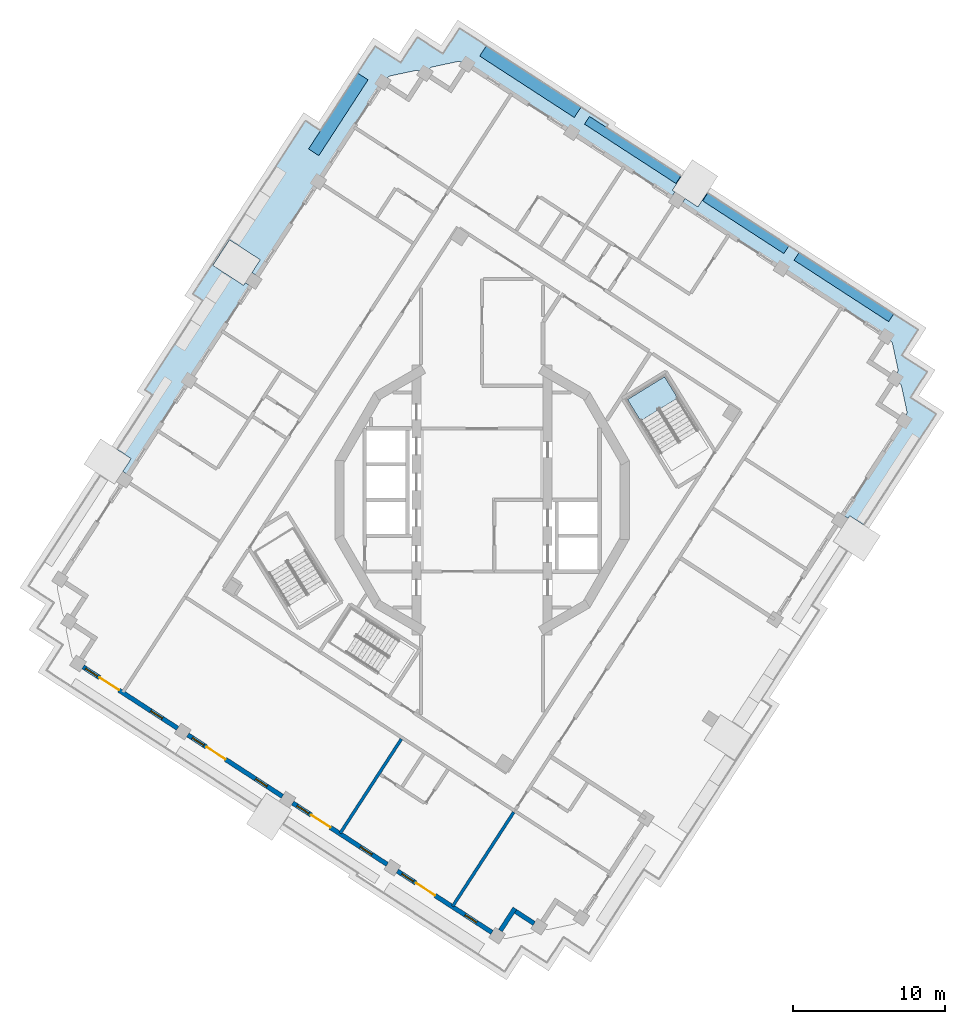
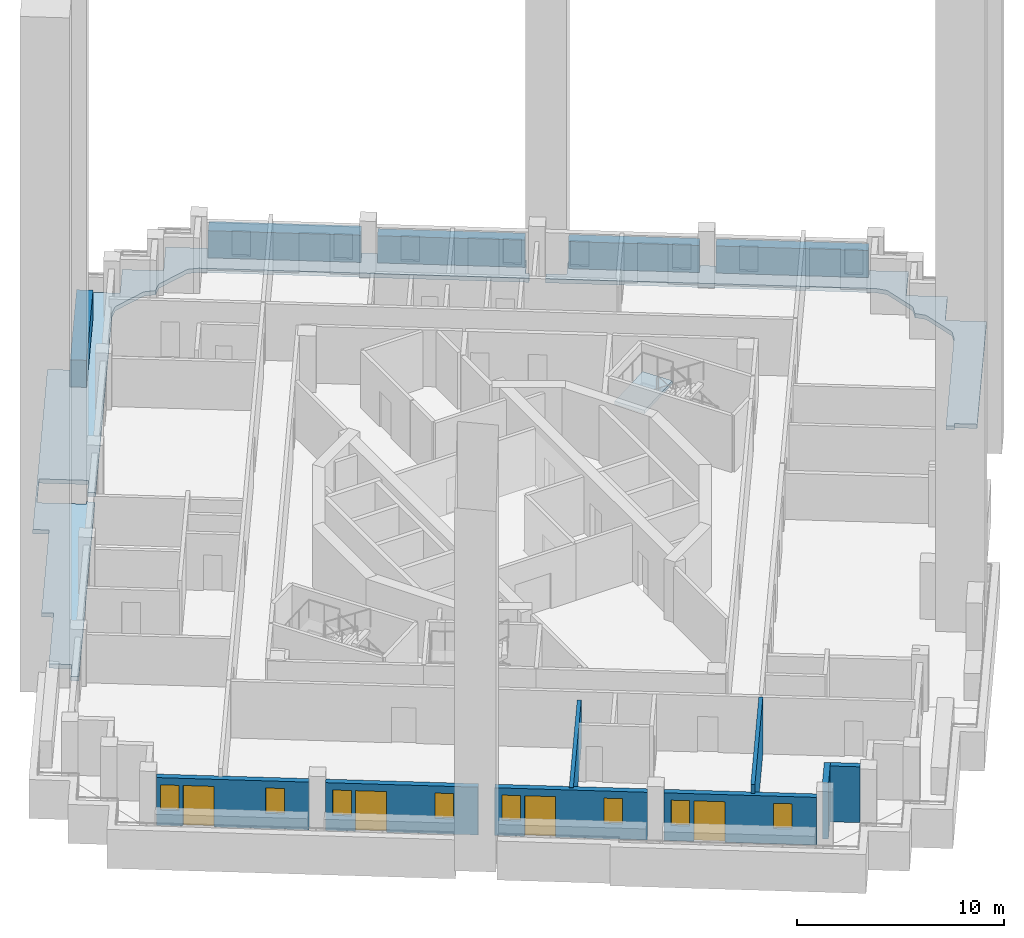
# One storey, part 2 of 15: 8 walls, 8 windows, 5 plates, 4 doors, 3 slabs, 12 openings, 1 element without a shape of its own.
"""IFC4 building model written with IfcOpenShell, lengths in metres."""

import ifcopenshell
import ifcopenshell.guid

model = None  # the IFC model being written
_history = None  # IfcOwnerHistory: only IFC2X3 demands one
_inside = {}  # id of a spatial element -> (the spatial element, [elements in it])
_under = {}  # id of a project, library or spatial element -> (it, [spatial elements below it])
_declared = {}  # id of a project -> (the project, [libraries it declares])
_typed = {}  # id of a type object -> (the type object, [elements of that type])
_made_of = {}  # id of a material, layer set ... -> (it, [elements and type objects made of it])


def new_model(schema):
    """Start an empty IFC model of exactly this schema.

    Asked for "IFC4X3", IfcOpenShell would pick the latest addendum, in which some entities
    have other attributes; the version numbers below select the first issue.
    IFC2X3 requires an IfcOwnerHistory on every rooted entity: one is made here for all.
    """
    global model, _history
    if schema == "IFC4X3":
        model = ifcopenshell.file(schema_version=(4, 3, 0, 0))
    else:
        model = ifcopenshell.file(schema=schema)
    _inside.clear()
    _under.clear()
    _declared.clear()
    _typed.clear()
    _made_of.clear()
    _history = None
    if model.schema == "IFC2X3":
        org = make("IfcOrganization", Name="unknown")
        user = make(
            "IfcPersonAndOrganization",
            ThePerson=make("IfcPerson", FamilyName="unknown"),
            TheOrganization=org,
        )
        app = make(
            "IfcApplication",
            ApplicationDeveloper=org,
            Version="unknown",
            ApplicationFullName="unknown",
            ApplicationIdentifier="unknown",
        )
        _history = make(
            "IfcOwnerHistory",
            OwningUser=user,
            OwningApplication=app,
            ChangeAction="ADDED",
            CreationDate=0,
        )
    return model


def make(cls, **values):
    """One entity of the class cls with the attributes given. An attribute that is None is left unset."""
    return model.create_entity(
        cls, **{name: value for name, value in values.items() if value is not None}
    )


def rooted(cls, **values):
    """An entity with a GlobalId (a new one), such as an element, a storey or a relation."""
    return make(cls, GlobalId=ifcopenshell.guid.new(), OwnerHistory=_history, **values)


def si_unit(unit_type, name, prefix=None):
    """IfcSIUnit, for example si_unit("LENGTHUNIT", "METRE", prefix="MILLI")."""
    return make("IfcSIUnit", UnitType=unit_type, Prefix=prefix, Name=name)


def assignment(units):
    """IfcUnitAssignment: the units of a project."""
    return None if units is None else make("IfcUnitAssignment", Units=units)


def point(xyz):
    """IfcCartesianPoint."""
    return None if xyz is None else make("IfcCartesianPoint", Coordinates=xyz)


def direction(xyz):
    """IfcDirection."""
    return None if xyz is None else make("IfcDirection", DirectionRatios=xyz)


def frame(location, z_axis=None, x_axis=None):
    """IfcAxis2Placement3D, a coordinate frame: its origin and axes. An axis left out is left unset."""
    return make(
        "IfcAxis2Placement3D",
        Location=point(location),
        Axis=direction(z_axis),
        RefDirection=direction(x_axis),
    )


def frame_2d(location, x_axis=None):
    """IfcAxis2Placement2D, a coordinate frame in the plane: its origin and x axis."""
    return make(
        "IfcAxis2Placement2D", Location=point(location), RefDirection=direction(x_axis)
    )


def origin():
    """The frame at (0, 0, 0) with its axes left unset."""
    return frame((0.0, 0.0, 0.0))


def origin_2d():
    """The frame at (0, 0) in the plane with its x axis left unset."""
    return frame_2d((0.0, 0.0))


def place(relative_to, where):
    """IfcLocalPlacement: puts the frame where relative to a parent placement (None: the world)."""
    return make(
        "IfcLocalPlacement", PlacementRelTo=relative_to, RelativePlacement=where
    )


def context(
    kind, dimensions, precision=None, world=None, true_north=None, identifier=None
):
    """IfcGeometricRepresentationContext, for example the 3D "Model" context."""
    return make(
        "IfcGeometricRepresentationContext",
        ContextIdentifier=identifier,
        ContextType=kind,
        CoordinateSpaceDimension=dimensions,
        Precision=precision,
        WorldCoordinateSystem=world,
        TrueNorth=true_north,
    )


def subcontext(parent, identifier, kind, view, scale=None):
    """IfcGeometricRepresentationSubContext, for example "Body" below "Model"."""
    return make(
        "IfcGeometricRepresentationSubContext",
        ContextIdentifier=identifier,
        ContextType=kind,
        ParentContext=parent,
        TargetScale=scale,
        TargetView=view,
    )


def project(units=None, contexts=None):
    """IfcProject with its units and contexts."""
    return rooted(
        "IfcProject",
        Name="project",
        RepresentationContexts=contexts,
        UnitsInContext=assignment(units),
    )


def spatial(cls, under=None, at=None, **own):
    """A site, building, storey or space (cls), placed at a placement, below another one or the project."""
    s = rooted(cls, ObjectPlacement=at, **own)
    if under is not None:
        _under.setdefault(under.id(), (under, []))[1].append(s)
    return s


def polyline(points):
    """IfcPolyline through the points."""
    return make("IfcPolyline", Points=[point(p) for p in points])


def profile(cls, at=None, kind="AREA", **sizes):
    """A parametric profile (cls). Its sizes go by their IFC names, for example OverallWidth=200.0."""
    return make(cls, ProfileType=kind, Position=at, **sizes)


def rectangle(**sizes):
    """IfcRectangleProfileDef."""
    return profile("IfcRectangleProfileDef", **sizes)


def outline(outer, holes=None, kind="AREA"):
    """IfcArbitraryClosedProfileDef: a profile drawn as a closed curve; with holes, ...WithVoids."""
    if holes is None:
        return make("IfcArbitraryClosedProfileDef", ProfileType=kind, OuterCurve=outer)
    return make(
        "IfcArbitraryProfileDefWithVoids",
        ProfileType=kind,
        OuterCurve=outer,
        InnerCurves=holes,
    )


def extrude(swept, where, along, depth):
    """IfcExtrudedAreaSolid: the profile swept, set in the frame where, extruded along a direction by depth."""
    return make(
        "IfcExtrudedAreaSolid",
        SweptArea=swept,
        Position=where,
        ExtrudedDirection=direction(along),
        Depth=depth,
    )


def shape(context_of_items, identifier, shape_type, items):
    """IfcShapeRepresentation: the items that make up one representation, for example the "Body"."""
    return make(
        "IfcShapeRepresentation",
        ContextOfItems=context_of_items,
        RepresentationIdentifier=identifier,
        RepresentationType=shape_type,
        Items=items,
    )


def material(Name=None, Category=None):
    """IfcMaterial."""
    return make("IfcMaterial", Name=Name, Category=Category)


def layer(
    of_material, thickness, ventilated=None, Name=None, Category=None, Priority=None
):
    """IfcMaterialLayer: one layer of a wall or slab, of a material (None: an air gap)."""
    return make(
        "IfcMaterialLayer",
        Material=of_material,
        LayerThickness=thickness,
        IsVentilated=ventilated,
        Name=Name,
        Category=Category,
        Priority=Priority,
    )


def layer_set(layers, Name=None):
    """IfcMaterialLayerSet."""
    return make("IfcMaterialLayerSet", MaterialLayers=layers, LayerSetName=Name)


def made_of(thing, what):
    """Note that an element or type object is made of a material, layer set ...; save() writes the relation."""
    if what is not None:
        _made_of.setdefault(what.id(), (what, []))[1].append(thing)
    return thing


def type_object(cls, material=None, **own):
    """A type object (cls), such as IfcWallType, which elements share."""
    return made_of(rooted(cls, **own), material)


def element(
    cls,
    number,
    at=None,
    inside=None,
    cuts=None,
    type_object=None,
    material=None,
    context=None,
    identifier="Body",
    shape_type=None,
    held_by="IfcProductDefinitionShape",
    body=None,
    shapes=None,
    **own,
):
    """One element of the class cls, such as IfcWall. Its Tag is "e" and its number.

    at: its placement. inside: the storey or other place that contains it. cuts: it is an
    opening in that element (IfcRelVoidsElement). A single representation is given by context,
    identifier, shape_type and body (its items); several are given by shapes. held_by: the class
    of the entity that holds the representations. save() writes the other relations.
    """
    e = rooted(cls, Tag="e%d" % number, ObjectPlacement=at, **own)
    if body is not None:
        shapes = [shape(context, identifier, shape_type, body)]
    if shapes is not None:
        e.Representation = make(held_by, Representations=shapes)
    if inside is not None:
        _inside.setdefault(inside.id(), (inside, []))[1].append(e)
    if cuts is not None:
        rooted(
            "IfcRelVoidsElement", RelatingBuildingElement=cuts, RelatedOpeningElement=e
        )
    if type_object is not None:
        _typed.setdefault(type_object.id(), (type_object, []))[1].append(e)
    return made_of(e, material)


def fill(opening, filler):
    """IfcRelFillsElement: the door or window that sits in an opening."""
    return rooted(
        "IfcRelFillsElement",
        RelatingOpeningElement=opening,
        RelatedBuildingElement=filler,
    )


def aggregate(whole, parts):
    """IfcRelAggregates: a whole, such as a stair, and the parts it consists of."""
    return rooted("IfcRelAggregates", RelatingObject=whole, RelatedObjects=parts)


def save(model, path):
    """Write the relations noted so far, then the file.

    IfcRelAggregates (storeys below a building ...), IfcRelContainedInSpatialStructure (elements
    in a storey), IfcRelDefinesByType, IfcRelAssociatesMaterial and IfcRelDeclares: one each for
    every whole, place, type object, material and project.
    """
    for whole, parts in _under.values():
        aggregate(whole, parts)
    for where, things in _inside.values():
        rooted(
            "IfcRelContainedInSpatialStructure",
            RelatedElements=things,
            RelatingStructure=where,
        )
    for kind, things in _typed.values():
        rooted("IfcRelDefinesByType", RelatedObjects=things, RelatingType=kind)
    for what, things in _made_of.values():
        rooted("IfcRelAssociatesMaterial", RelatedObjects=things, RelatingMaterial=what)
    for by, libraries in _declared.values():
        rooted("IfcRelDeclares", RelatingContext=by, RelatedDefinitions=libraries)
    model.write(path)


model = new_model("IFC4")

# Units and contexts
model_context = context("Model", 3, precision=1e-05, world=origin(), true_north=direction((0.0, 1.0)))
body_context = subcontext(model_context, "Body", "Model", "MODEL_VIEW")
ifc_project = project(units=[si_unit("LENGTHUNIT", "METRE"), si_unit("AREAUNIT", "SQUARE_METRE"), si_unit("VOLUMEUNIT", "CUBIC_METRE"), si_unit("PLANEANGLEUNIT", "RADIAN"), si_unit("MASSUNIT", "GRAM", prefix="KILO")], contexts=[model_context])

# Site, building, storey
site_placement = place(None, origin())
site = spatial("IfcSite", under=ifc_project, at=site_placement, CompositionType="ELEMENT")
building_placement = place(site_placement, origin())
building = spatial("IfcBuilding", under=site, at=building_placement, Name="Cantera Rosa Tower", CompositionType="ELEMENT")
storey_placement = place(building_placement, frame((0.0, 0.0, 250.5)))
storey = spatial("IfcBuildingStorey", under=building, at=storey_placement, Name="L55", CompositionType="ELEMENT", Elevation=250.5)

# Slabs
ifc_material_1 = material(Name="Concrete C35/45", Category="concrete")
ifc_layer_1 = layer(ifc_material_1, 0.25)
ifc_layer_set_1 = layer_set([ifc_layer_1], Name="LOGGIA SLAB 250 C35/45")
slab_type_1 = type_object("IfcSlabType", Name="LOGGIA SLAB 250 C35/45", PredefinedType="FLOOR", material=ifc_layer_set_1)
slab_1_placement = place(storey_placement, frame((0.0, 0.0, -0.25)))
element("IfcSlab", 1, at=slab_1_placement, inside=storey, type_object=slab_type_1, Name="LOGGIA SLAB L55 2", PredefinedType="FLOOR", context=body_context, shape_type="SweptSolid", body=[
    extrude(outline(polyline([(-10.61083984375, 24.238037109375), (-7.94140625, 28.3486328125), (-7.015380859375, 29.7744140625), (-5.58984375, 28.848388671875), (-5.338134765625, 28.68505859375), (-5.1748046875, 28.936767578125), (-4.248779296875, 30.362548828125), (-2.822998046875, 29.4365234375), (-2.571533203125, 29.273193359375), (-2.408203125, 29.52490234375), (-1.482421875, 30.950439453125), (-0.056396484375, 30.024658203125), (8.246337890625, 24.6328125), (8.137451171875, 24.465087890625), (12.330810546875, 21.74169921875), (13.08544921875, 21.251708984375), (12.486328125, 20.3291015625), (12.654296875, 20.22021484375), (12.436279296875, 19.884765625), (-0.106689453125, 28.030029296875), (-0.982421875, 28.598876953125), (-1.424560546875, 28.760009765625), (-1.452392578125, 28.76953125), (-1.481201171875, 28.7763671875), (-1.51025390625, 28.7802734375), (-1.539794921875, 28.78125), (-1.569091796875, 28.779296875), (-1.59814453125, 28.774658203125), (-3.258056640625, 28.421875), (-3.28662109375, 28.414306640625), (-3.314208984375, 28.404052734375), (-3.340576171875, 28.39111328125), (-3.365478515625, 28.375732421875), (-3.388916015625, 28.35791015625), (-3.41064453125, 28.337890625), (-3.7490234375, 28.0107421875), (-4.191162109375, 28.171875), (-4.218994140625, 28.181396484375), (-4.247802734375, 28.188232421875), (-4.27685546875, 28.192138671875), (-4.306396484375, 28.193115234375), (-4.335693359375, 28.19140625), (-4.36474609375, 28.186767578125), (-6.024658203125, 27.833740234375), (-6.05322265625, 27.826416015625), (-6.080810546875, 27.81591796875), (-6.107177734375, 27.802978515625), (-6.132080078125, 27.78759765625), (-6.15576171875, 27.769775390625), (-6.17724609375, 27.749755859375), (-6.515625, 27.4228515625), (-7.08447265625, 26.547119140625), (-14.7724609375, 14.70849609375), (-15.10791015625, 14.926513671875), (-14.563232421875, 15.76513671875), (-16.575927734375, 17.072265625), (-17.665283203125, 15.39501953125), (-15.652587890625, 14.087646484375), (-15.543701171875, 14.255615234375), (-15.2080078125, 14.03759765625), (-23.2470703125, 1.65869140625), (-23.58251953125, 1.876708984375), (-23.037841796875, 2.71533203125), (-23.9619140625, 3.3154296875), (-21.625, 6.9140625), (-22.117431640625, 7.23388671875), (-18.31005859375, 13.0966796875), (-18.97216796875, 13.526611328125), (-11.599365234375, 24.8798828125), (-10.61083984375, 24.238037109375)])), origin(), (0.0, 0.0, 1.0), 0.25),
])
slab_2_placement = place(storey_placement, frame((0.0, 0.0, -0.25)))
element("IfcSlab", 2, at=slab_2_placement, inside=storey, type_object=slab_type_1, Name="LOGGIA SLAB L55 5", PredefinedType="FLOOR", context=body_context, shape_type="SweptSolid", body=[
    extrude(outline(polyline([(27.783935546875, 9.917724609375), (27.51171875, 9.49853515625), (27.930908203125, 9.22607421875), (29.18896484375, 8.4091796875), (28.3720703125, 7.151123046875), (28.099609375, 6.731689453125), (28.51904296875, 6.45947265625), (29.777099609375, 5.642578125), (28.960205078125, 4.384521484375), (25.540771484375, -0.880859375), (25.542236328125, -0.8818359375), (25.051025390625, -1.63818359375), (24.127197265625, -1.0380859375), (24.01806640625, -1.205810546875), (23.6826171875, -0.98779296875), (27.13330078125, 4.32568359375), (27.7021484375, 5.201416015625), (27.863037109375, 5.643798828125), (27.872802734375, 5.67138671875), (27.87939453125, 5.7001953125), (27.88330078125, 5.729248046875), (27.884521484375, 5.7587890625), (27.882568359375, 5.7880859375), (27.8779296875, 5.817138671875), (27.525146484375, 7.477294921875), (27.517578125, 7.505615234375), (27.50732421875, 7.533203125), (27.494384765625, 7.559814453125), (27.47900390625, 7.584716796875), (27.461181640625, 7.608154296875), (27.44091796875, 7.629638671875), (27.114013671875, 7.968017578125), (27.275146484375, 8.410400390625), (27.28466796875, 8.43798828125), (27.29150390625, 8.466796875), (27.29541015625, 8.49609375), (27.29638671875, 8.525390625), (27.294677734375, 8.5546875), (27.289794921875, 8.583740234375), (26.93701171875, 10.243896484375), (26.929443359375, 10.272216796875), (26.919189453125, 10.2998046875), (26.90625, 10.326416015625), (26.890869140625, 10.351318359375), (26.873046875, 10.374755859375), (26.852783203125, 10.396240234375), (26.52587890625, 10.734619140625), (25.650146484375, 11.303466796875), (13.107421875, 19.448974609375), (13.3251953125, 19.784423828125), (14.163818359375, 19.23974609375), (14.762939453125, 20.162353515625), (14.8466796875, 20.10791015625), (19.207763671875, 17.275634765625), (21.723876953125, 15.641845703125), (27.343017578125, 11.992919921875), (28.600830078125, 11.17578125), (27.783935546875, 9.917724609375)])), origin(), (0.0, 0.0, 1.0), 0.25),
])

# Plates
ifc_material_2 = material(Name="Cantera stone planter with soil", Category="masonry")
plate_type_1 = type_object("IfcPlateType", Name="PLANTER 600", PredefinedType="USERDEFINED", material=ifc_material_2)
plate_1_placement = place(storey_placement, frame((23.740966796875, 13.97412109375, 0.0), z_axis=(0.0, 0.0, 1.0), x_axis=(-0.838670567945, 0.544639035015, 0.0)))
element("IfcPlate", 3, at=plate_1_placement, inside=storey, type_object=plate_type_1, Name="PLANTER L55-01", ObjectType="PLANTER", PredefinedType="USERDEFINED", context=body_context, shape_type="SweptSolid", body=[
    extrude(rectangle(XDim=7.39990234375, YDim=0.60009765625, at=origin_2d()), origin(), (0.0, 0.0, 1.0), 1.60009765625),
])
plate_2_placement = place(storey_placement, frame((17.30419921875, 18.154296875, 0.0), z_axis=(0.0, 0.0, 1.0), x_axis=(-0.838670567945, 0.544639035015, 0.0)))
element("IfcPlate", 4, at=plate_2_placement, inside=storey, type_object=plate_type_1, Name="PLANTER L55-02", ObjectType="PLANTER", PredefinedType="USERDEFINED", context=body_context, shape_type="SweptSolid", body=[
    extrude(rectangle(XDim=6.35009765625, YDim=0.60009765625, at=origin_2d()), origin(), (0.0, 0.0, 1.0), 1.60009765625),
])
plate_3_placement = place(storey_placement, frame((9.882080078125, 22.974365234375, 0.0), z_axis=(0.0, 0.0, 1.0), x_axis=(-0.838670567945, 0.544639035015, 0.0)))
element("IfcPlate", 5, at=plate_3_placement, inside=storey, type_object=plate_type_1, Name="PLANTER L55-03", ObjectType="PLANTER", PredefinedType="USERDEFINED", context=body_context, shape_type="SweptSolid", body=[
    extrude(rectangle(XDim=7.14990234375, YDim=0.60009765625, at=origin_2d()), origin(), (0.0, 0.0, 1.0), 1.60009765625),
])
ifc_material_3 = material(Name="Cantera stone planter with soil", Category="masonry")
plate_type_2 = type_object("IfcPlateType", Name="PLANTER 800", PredefinedType="USERDEFINED", material=ifc_material_3)
plate_4_placement = place(storey_placement, frame((3.1640625, 27.4560546875, 0.0), z_axis=(0.0, 0.0, 1.0), x_axis=(-0.838670567945, 0.544639035015, 0.0)))
element("IfcPlate", 6, at=plate_4_placement, inside=storey, type_object=plate_type_2, Name="PLANTER L55-04", ObjectType="PLANTER", PredefinedType="USERDEFINED", context=body_context, shape_type="SweptSolid", body=[
    extrude(rectangle(XDim=7.39990234375, YDim=0.800048828125, at=origin_2d()), origin(), (0.0, 0.0, 1.0), 1.60009765625),
])
plate_5_placement = place(storey_placement, frame((-9.438720703125, 25.30859375, 0.0), z_axis=(0.0, 0.0, 1.0), x_axis=(-0.544639035015, -0.838670567945, 0.0)))
element("IfcPlate", 7, at=plate_5_placement, inside=storey, type_object=plate_type_2, Name="PLANTER L55-05", ObjectType="PLANTER", PredefinedType="USERDEFINED", context=body_context, shape_type="SweptSolid", body=[
    extrude(rectangle(XDim=5.929931640625, YDim=0.800048828125, at=origin_2d()), origin(), (0.0, 0.0, 1.0), 1.60009765625),
])

# Stair, slab
ifc_material_4 = material(Name="Concrete C35/45", Category="concrete")
stair_type = type_object("IfcStairType", Name="EXIT STAIR 1350 DOGLEG", PredefinedType="HALF_TURN_STAIR", material=ifc_material_4)
stair_placement = place(storey_placement, origin())
stair = element("IfcStair", 8, at=stair_placement, inside=storey, type_object=stair_type, Name="L55 ST-51", PredefinedType="HALF_TURN_STAIR")
ifc_material_5 = material(Name="Concrete C35/45", Category="concrete")
ifc_layer_2 = layer(ifc_material_5, 0.199951171875)
ifc_layer_set_2 = layer_set([ifc_layer_2], Name="STAIR LANDING 200")
slab_type_2 = type_object("IfcSlabType", Name="STAIR LANDING 200", PredefinedType="LANDING", material=ifc_layer_set_2)
slab_3_placement = place(storey_placement, frame((0.0, 0.0, 1.60009765625)))
slab_3 = element("IfcSlab", 9, at=slab_3_placement, type_object=slab_type_2, Name="ST-51 landing 1", PredefinedType="LANDING", context=body_context, shape_type="SweptSolid", body=[
    extrude(outline(polyline([(12.8310546875, 6.691162109375), (11.96923828125, 8.088623046875), (9.54345703125, 6.592529296875), (10.405517578125, 5.19482421875), (12.8310546875, 6.691162109375)])), origin(), (0.0, 0.0, 1.0), 0.199951171875),
])
aggregate(stair, [slab_3])

# Walls
ifc_material_6 = material(Name="Hollow clay masonry with cantera stone cladding", Category="masonry")
ifc_layer_3 = layer(ifc_material_6, 0.300048828125)
ifc_layer_set_3 = layer_set([ifc_layer_3], Name="EW-LOGGIA 300")
wall_type_1 = type_object("IfcWallType", Name="EW-LOGGIA 300", PredefinedType="SOLIDWALL", material=ifc_layer_set_3)
wall_1_placement = place(storey_placement, frame((1.2001953125, -28.263427734375, 0.0), z_axis=(0.0, 0.0, 1.0), x_axis=(0.54461563776, 0.838685761837, 0.0)))
element("IfcWall", 10, at=wall_1_placement, inside=storey, type_object=wall_type_1, Name="EN-L55-W18a", PredefinedType="SOLIDWALL", context=body_context, shape_type="SweptSolid", body=[
    extrude(rectangle(XDim=1.75, YDim=0.300048828125, at=frame_2d((0.875, 0.0))), origin(), (0.0, 0.0, 1.0), 3.300048828125),
])
wall_2_placement = place(storey_placement, frame((2.197509765625, -27.003173828125, 0.0), z_axis=(0.0, 0.0, 1.0), x_axis=(0.838647435384, -0.54467465438, 0.0)))
element("IfcWall", 11, at=wall_2_placement, inside=storey, type_object=wall_type_1, Name="EN-L55-W18b", PredefinedType="SOLIDWALL", context=body_context, shape_type="SweptSolid", body=[
    extrude(rectangle(XDim=1.449951171875, YDim=0.300048828125, at=frame_2d((0.72509765625, 0.0))), origin(), (0.0, 0.0, 1.0), 3.300048828125),
])

# Wall, openings, windows, door
ifc_material_7 = material(Name="Hollow clay masonry with cantera stone cladding", Category="masonry")
ifc_layer_4 = layer(ifc_material_7, 0.300048828125)
ifc_layer_set_4 = layer_set([ifc_layer_4], Name="EW-LOGGIA 300 H2820")
wall_type_2 = type_object("IfcWallType", Name="EW-LOGGIA 300 H2820", PredefinedType="SOLIDWALL", material=ifc_layer_set_4)
wall_3_placement = place(storey_placement, frame((-26.1904296875, -10.95263671875, 0.0), z_axis=(0.0, 0.0, 1.0), x_axis=(0.838669679097, -0.544640403719, 0.0)))
wall_3 = element("IfcWall", 12, at=wall_3_placement, inside=storey, type_object=wall_type_2, Name="EN-L55-W14", PredefinedType="SOLIDWALL", context=body_context, shape_type="SweptSolid", body=[
    extrude(rectangle(XDim=7.39990234375, YDim=0.300048828125, at=frame_2d((3.699951171875, 0.0))), origin(), (0.0, 0.0, 1.0), 2.820068359375),
])
opening_1_placement = place(wall_3_placement, frame((0.199951171875, 0.0, 0.89990234375)))
opening_1 = element("IfcOpeningElement", 13, at=opening_1_placement, cuts=wall_3, Name="Opening L55-W28", PredefinedType="OPENING", context=body_context, shape_type="SweptSolid", body=[
    extrude(rectangle(XDim=0.89990234375, YDim=1.5, at=frame_2d((0.449951171875, 0.75))), frame((0.0, 0.159912109375, 0.0), z_axis=(0.0, -1.0, 0.0), x_axis=(1.0, 0.0, 0.0)), (0.0, 0.0, 1.0), 0.320068359375),
])
opening_2_placement = place(wall_3_placement, frame((1.300048828125, 0.0, 0.0)))
opening_2 = element("IfcOpeningElement", 14, at=opening_2_placement, cuts=wall_3, Name="Opening L55-TD29", PredefinedType="OPENING", context=body_context, shape_type="SweptSolid", body=[
    extrude(rectangle(XDim=1.5, YDim=2.39990234375, at=frame_2d((0.75, 1.199951171875))), frame((0.0, 0.159912109375, 0.0), z_axis=(0.0, -1.0, 0.0), x_axis=(1.0, 0.0, 0.0)), (0.0, 0.0, 1.0), 0.320068359375),
])
opening_3_placement = place(wall_3_placement, frame((5.300048828125, 0.0, 0.89990234375)))
opening_3 = element("IfcOpeningElement", 15, at=opening_3_placement, cuts=wall_3, Name="Opening L55-W30", PredefinedType="OPENING", context=body_context, shape_type="SweptSolid", body=[
    extrude(rectangle(XDim=0.89990234375, YDim=1.5, at=frame_2d((0.449951171875, 0.75))), frame((0.0, 0.159912109375, 0.0), z_axis=(0.0, -1.0, 0.0), x_axis=(1.0, 0.0, 0.0)), (0.0, 0.0, 1.0), 0.320068359375),
])
ifc_material_8 = material(Name="Aluminium frame with clear glass", Category="aluminium")
window_type = type_object("IfcWindowType", Name="Residential window 900x1500", PartitioningType="SINGLE_PANEL", PredefinedType="WINDOW", material=ifc_material_8)
window_1_placement = place(opening_1_placement, origin())
window_1 = element("IfcWindow", 16, at=window_1_placement, inside=storey, type_object=window_type, Name="WINDOW L55-W28", OverallHeight=1.5, OverallWidth=0.89990234375, PartitioningType="SINGLE_PANEL", PredefinedType="WINDOW", context=body_context, shape_type="SweptSolid", body=[
    extrude(rectangle(XDim=0.89990234375, YDim=1.5, at=frame_2d((0.449951171875, 0.75))), frame((0.0, 0.030029296875, 0.0), z_axis=(0.0, -1.0, 0.0), x_axis=(1.0, 0.0, 0.0)), (0.0, 0.0, 1.0), 0.06005859375),
])
fill(opening_1, window_1)
window_2_placement = place(opening_3_placement, origin())
window_2 = element("IfcWindow", 17, at=window_2_placement, inside=storey, type_object=window_type, Name="WINDOW L55-W30", OverallHeight=1.5, OverallWidth=0.89990234375, PartitioningType="SINGLE_PANEL", PredefinedType="WINDOW", context=body_context, shape_type="SweptSolid", body=[
    extrude(rectangle(XDim=0.89990234375, YDim=1.5, at=frame_2d((0.449951171875, 0.75))), frame((0.0, 0.030029296875, 0.0), z_axis=(0.0, -1.0, 0.0), x_axis=(1.0, 0.0, 0.0)), (0.0, 0.0, 1.0), 0.06005859375),
])
fill(opening_3, window_2)
ifc_material_9 = material(Name="Aluminium frame with clear glass", Category="aluminium")
door_type = type_object("IfcDoorType", Name="TD-R 1500x2400", OperationType="NOTDEFINED", PredefinedType="DOOR", material=ifc_material_9)
door_1_placement = place(opening_2_placement, origin())
door_1 = element("IfcDoor", 18, at=door_1_placement, inside=storey, type_object=door_type, Name="LOGGIA DOOR L55-TD29", OperationType="SLIDING_TO_LEFT", OverallHeight=2.39990234375, OverallWidth=1.5, PredefinedType="DOOR", context=body_context, shape_type="SweptSolid", body=[
    extrude(rectangle(XDim=1.5, YDim=2.39990234375, at=frame_2d((0.75, 1.199951171875))), frame((0.0, 0.02490234375, 0.0), z_axis=(0.0, -1.0, 0.0), x_axis=(1.0, 0.0, 0.0)), (0.0, 0.0, 1.0), 0.050048828125),
])
fill(opening_2, door_1)

wall_4_placement = place(storey_placement, frame((-19.3134765625, -15.418701171875, 0.0), z_axis=(0.0, 0.0, 1.0), x_axis=(0.838679465365, -0.544625333946, 0.0)))
wall_4 = element("IfcWall", 19, at=wall_4_placement, inside=storey, type_object=wall_type_2, Name="EN-L55-W15", PredefinedType="SOLIDWALL", context=body_context, shape_type="SweptSolid", body=[
    extrude(rectangle(XDim=7.400146484375, YDim=0.300048828125, at=frame_2d((3.7001953125, 0.0))), origin(), (0.0, 0.0, 1.0), 2.820068359375),
])
opening_4_placement = place(wall_4_placement, frame((0.35009765625, 0.0, 0.89990234375)))
opening_4 = element("IfcOpeningElement", 20, at=opening_4_placement, cuts=wall_4, Name="Opening L55-W31", PredefinedType="OPENING", context=body_context, shape_type="SweptSolid", body=[
    extrude(rectangle(XDim=0.89990234375, YDim=1.5, at=frame_2d((0.449951171875, 0.75))), frame((0.0, 0.159912109375, 0.0), z_axis=(0.0, -1.0, 0.0), x_axis=(1.0, 0.0, 0.0)), (0.0, 0.0, 1.0), 0.320068359375),
])
opening_5_placement = place(wall_4_placement, frame((1.449951171875, 0.0, 0.0)))
opening_5 = element("IfcOpeningElement", 21, at=opening_5_placement, cuts=wall_4, Name="Opening L55-TD32", PredefinedType="OPENING", context=body_context, shape_type="SweptSolid", body=[
    extrude(rectangle(XDim=1.5, YDim=2.39990234375, at=frame_2d((0.75, 1.199951171875))), frame((0.0, 0.159912109375, 0.0), z_axis=(0.0, -1.0, 0.0), x_axis=(1.0, 0.0, 0.0)), (0.0, 0.0, 1.0), 0.320068359375),
])
opening_6_placement = place(wall_4_placement, frame((5.300048828125, 0.0, 0.89990234375)))
opening_6 = element("IfcOpeningElement", 22, at=opening_6_placement, cuts=wall_4, Name="Opening L55-W33", PredefinedType="OPENING", context=body_context, shape_type="SweptSolid", body=[
    extrude(rectangle(XDim=0.89990234375, YDim=1.5, at=frame_2d((0.449951171875, 0.75))), frame((0.0, 0.159912109375, 0.0), z_axis=(0.0, -1.0, 0.0), x_axis=(1.0, 0.0, 0.0)), (0.0, 0.0, 1.0), 0.320068359375),
])
window_3_placement = place(opening_4_placement, origin())
window_3 = element("IfcWindow", 23, at=window_3_placement, inside=storey, type_object=window_type, Name="WINDOW L55-W31", OverallHeight=1.5, OverallWidth=0.89990234375, PartitioningType="SINGLE_PANEL", PredefinedType="WINDOW", context=body_context, shape_type="SweptSolid", body=[
    extrude(rectangle(XDim=0.89990234375, YDim=1.5, at=frame_2d((0.449951171875, 0.75))), frame((0.0, 0.030029296875, 0.0), z_axis=(0.0, -1.0, 0.0), x_axis=(1.0, 0.0, 0.0)), (0.0, 0.0, 1.0), 0.06005859375),
])
fill(opening_4, window_3)
window_4_placement = place(opening_6_placement, origin())
window_4 = element("IfcWindow", 24, at=window_4_placement, inside=storey, type_object=window_type, Name="WINDOW L55-W33", OverallHeight=1.5, OverallWidth=0.89990234375, PartitioningType="SINGLE_PANEL", PredefinedType="WINDOW", context=body_context, shape_type="SweptSolid", body=[
    extrude(rectangle(XDim=0.89990234375, YDim=1.5, at=frame_2d((0.449951171875, 0.75))), frame((0.0, 0.030029296875, 0.0), z_axis=(0.0, -1.0, 0.0), x_axis=(1.0, 0.0, 0.0)), (0.0, 0.0, 1.0), 0.06005859375),
])
fill(opening_6, window_4)
door_2_placement = place(opening_5_placement, origin())
door_2 = element("IfcDoor", 25, at=door_2_placement, inside=storey, type_object=door_type, Name="LOGGIA DOOR L55-TD32", OperationType="SLIDING_TO_LEFT", OverallHeight=2.39990234375, OverallWidth=1.5, PredefinedType="DOOR", context=body_context, shape_type="SweptSolid", body=[
    extrude(rectangle(XDim=1.5, YDim=2.39990234375, at=frame_2d((0.75, 1.199951171875))), frame((0.0, 0.02490234375, 0.0), z_axis=(0.0, -1.0, 0.0), x_axis=(1.0, 0.0, 0.0)), (0.0, 0.0, 1.0), 0.050048828125),
])
fill(opening_5, door_2)

wall_5_placement = place(storey_placement, frame((-12.436279296875, -19.884765625, 0.0), z_axis=(0.0, 0.0, 1.0), x_axis=(0.838669679097, -0.544640403719, 0.0)))
wall_5 = element("IfcWall", 26, at=wall_5_placement, inside=storey, type_object=wall_type_2, Name="EN-L55-W16", PredefinedType="SOLIDWALL", context=body_context, shape_type="SweptSolid", body=[
    extrude(rectangle(XDim=7.39990234375, YDim=0.300048828125, at=frame_2d((3.699951171875, 0.0))), origin(), (0.0, 0.0, 1.0), 2.820068359375),
])
opening_7_placement = place(wall_5_placement, frame((0.35009765625, 0.0, 0.89990234375)))
opening_7 = element("IfcOpeningElement", 27, at=opening_7_placement, cuts=wall_5, Name="Opening L55-W34", PredefinedType="OPENING", context=body_context, shape_type="SweptSolid", body=[
    extrude(rectangle(XDim=0.89990234375, YDim=1.5, at=frame_2d((0.449951171875, 0.75))), frame((0.0, 0.159912109375, 0.0), z_axis=(0.0, -1.0, 0.0), x_axis=(1.0, 0.0, 0.0)), (0.0, 0.0, 1.0), 0.320068359375),
])
opening_8_placement = place(wall_5_placement, frame((1.449951171875, 0.0, 0.0)))
opening_8 = element("IfcOpeningElement", 28, at=opening_8_placement, cuts=wall_5, Name="Opening L55-TD35", PredefinedType="OPENING", context=body_context, shape_type="SweptSolid", body=[
    extrude(rectangle(XDim=1.5, YDim=2.39990234375, at=frame_2d((0.75, 1.199951171875))), frame((0.0, 0.159912109375, 0.0), z_axis=(0.0, -1.0, 0.0), x_axis=(1.0, 0.0, 0.0)), (0.0, 0.0, 1.0), 0.320068359375),
])
opening_9_placement = place(wall_5_placement, frame((5.300048828125, 0.0, 0.89990234375)))
opening_9 = element("IfcOpeningElement", 29, at=opening_9_placement, cuts=wall_5, Name="Opening L55-W36", PredefinedType="OPENING", context=body_context, shape_type="SweptSolid", body=[
    extrude(rectangle(XDim=0.89990234375, YDim=1.5, at=frame_2d((0.449951171875, 0.75))), frame((0.0, 0.159912109375, 0.0), z_axis=(0.0, -1.0, 0.0), x_axis=(1.0, 0.0, 0.0)), (0.0, 0.0, 1.0), 0.320068359375),
])
window_5_placement = place(opening_7_placement, origin())
window_5 = element("IfcWindow", 30, at=window_5_placement, inside=storey, type_object=window_type, Name="WINDOW L55-W34", OverallHeight=1.5, OverallWidth=0.89990234375, PartitioningType="SINGLE_PANEL", PredefinedType="WINDOW", context=body_context, shape_type="SweptSolid", body=[
    extrude(rectangle(XDim=0.89990234375, YDim=1.5, at=frame_2d((0.449951171875, 0.75))), frame((0.0, 0.030029296875, 0.0), z_axis=(0.0, -1.0, 0.0), x_axis=(1.0, 0.0, 0.0)), (0.0, 0.0, 1.0), 0.06005859375),
])
fill(opening_7, window_5)
window_6_placement = place(opening_9_placement, origin())
window_6 = element("IfcWindow", 31, at=window_6_placement, inside=storey, type_object=window_type, Name="WINDOW L55-W36", OverallHeight=1.5, OverallWidth=0.89990234375, PartitioningType="SINGLE_PANEL", PredefinedType="WINDOW", context=body_context, shape_type="SweptSolid", body=[
    extrude(rectangle(XDim=0.89990234375, YDim=1.5, at=frame_2d((0.449951171875, 0.75))), frame((0.0, 0.030029296875, 0.0), z_axis=(0.0, -1.0, 0.0), x_axis=(1.0, 0.0, 0.0)), (0.0, 0.0, 1.0), 0.06005859375),
])
fill(opening_9, window_6)
door_3_placement = place(opening_8_placement, origin())
door_3 = element("IfcDoor", 32, at=door_3_placement, inside=storey, type_object=door_type, Name="LOGGIA DOOR L55-TD35", OperationType="SLIDING_TO_LEFT", OverallHeight=2.39990234375, OverallWidth=1.5, PredefinedType="DOOR", context=body_context, shape_type="SweptSolid", body=[
    extrude(rectangle(XDim=1.5, YDim=2.39990234375, at=frame_2d((0.75, 1.199951171875))), frame((0.0, 0.02490234375, 0.0), z_axis=(0.0, -1.0, 0.0), x_axis=(1.0, 0.0, 0.0)), (0.0, 0.0, 1.0), 0.050048828125),
])
fill(opening_8, door_3)

wall_6_placement = place(storey_placement, frame((-5.559326171875, -24.350830078125, 0.0), z_axis=(0.0, 0.0, 1.0), x_axis=(0.838679465365, -0.544625333946, 0.0)))
wall_6 = element("IfcWall", 33, at=wall_6_placement, inside=storey, type_object=wall_type_2, Name="EN-L55-W17", PredefinedType="SOLIDWALL", context=body_context, shape_type="SweptSolid", body=[
    extrude(rectangle(XDim=7.400146484375, YDim=0.300048828125, at=frame_2d((3.7001953125, 0.0))), origin(), (0.0, 0.0, 1.0), 2.820068359375),
])
opening_10_placement = place(wall_6_placement, frame((0.35009765625, 0.0, 0.89990234375)))
opening_10 = element("IfcOpeningElement", 34, at=opening_10_placement, cuts=wall_6, Name="Opening L55-W37", PredefinedType="OPENING", context=body_context, shape_type="SweptSolid", body=[
    extrude(rectangle(XDim=0.89990234375, YDim=1.5, at=frame_2d((0.449951171875, 0.75))), frame((0.0, 0.159912109375, 0.0), z_axis=(0.0, -1.0, 0.0), x_axis=(1.0, 0.0, 0.0)), (0.0, 0.0, 1.0), 0.320068359375),
])
opening_11_placement = place(wall_6_placement, frame((1.449951171875, 0.0, 0.0)))
opening_11 = element("IfcOpeningElement", 35, at=opening_11_placement, cuts=wall_6, Name="Opening L55-TD38", PredefinedType="OPENING", context=body_context, shape_type="SweptSolid", body=[
    extrude(rectangle(XDim=1.5, YDim=2.39990234375, at=frame_2d((0.75, 1.199951171875))), frame((0.0, 0.159912109375, 0.0), z_axis=(0.0, -1.0, 0.0), x_axis=(1.0, 0.0, 0.0)), (0.0, 0.0, 1.0), 0.320068359375),
])
opening_12_placement = place(wall_6_placement, frame((5.300048828125, 0.0, 0.89990234375)))
opening_12 = element("IfcOpeningElement", 36, at=opening_12_placement, cuts=wall_6, Name="Opening L55-W39", PredefinedType="OPENING", context=body_context, shape_type="SweptSolid", body=[
    extrude(rectangle(XDim=0.89990234375, YDim=1.5, at=frame_2d((0.449951171875, 0.75))), frame((0.0, 0.159912109375, 0.0), z_axis=(0.0, -1.0, 0.0), x_axis=(1.0, 0.0, 0.0)), (0.0, 0.0, 1.0), 0.320068359375),
])
window_7_placement = place(opening_10_placement, origin())
window_7 = element("IfcWindow", 37, at=window_7_placement, inside=storey, type_object=window_type, Name="WINDOW L55-W37", OverallHeight=1.5, OverallWidth=0.89990234375, PartitioningType="SINGLE_PANEL", PredefinedType="WINDOW", context=body_context, shape_type="SweptSolid", body=[
    extrude(rectangle(XDim=0.89990234375, YDim=1.5, at=frame_2d((0.449951171875, 0.75))), frame((0.0, 0.030029296875, 0.0), z_axis=(0.0, -1.0, 0.0), x_axis=(1.0, 0.0, 0.0)), (0.0, 0.0, 1.0), 0.06005859375),
])
fill(opening_10, window_7)
window_8_placement = place(opening_12_placement, origin())
window_8 = element("IfcWindow", 38, at=window_8_placement, inside=storey, type_object=window_type, Name="WINDOW L55-W39", OverallHeight=1.5, OverallWidth=0.89990234375, PartitioningType="SINGLE_PANEL", PredefinedType="WINDOW", context=body_context, shape_type="SweptSolid", body=[
    extrude(rectangle(XDim=0.89990234375, YDim=1.5, at=frame_2d((0.449951171875, 0.75))), frame((0.0, 0.030029296875, 0.0), z_axis=(0.0, -1.0, 0.0), x_axis=(1.0, 0.0, 0.0)), (0.0, 0.0, 1.0), 0.06005859375),
])
fill(opening_12, window_8)
door_4_placement = place(opening_11_placement, origin())
door_4 = element("IfcDoor", 39, at=door_4_placement, inside=storey, type_object=door_type, Name="LOGGIA DOOR L55-TD38", OperationType="SLIDING_TO_LEFT", OverallHeight=2.39990234375, OverallWidth=1.5, PredefinedType="DOOR", context=body_context, shape_type="SweptSolid", body=[
    extrude(rectangle(XDim=1.5, YDim=2.39990234375, at=frame_2d((0.75, 1.199951171875))), frame((0.0, 0.02490234375, 0.0), z_axis=(0.0, -1.0, 0.0), x_axis=(1.0, 0.0, 0.0)), (0.0, 0.0, 1.0), 0.050048828125),
])
fill(opening_11, door_4)

# Walls
ifc_material_10 = material(Name="Gypsum board partition")
ifc_layer_5 = layer(ifc_material_10, 0.199951171875)
ifc_layer_set_5 = layer_set([ifc_layer_5], Name="PARTY WALL 200 H2850")
wall_type_3 = type_object("IfcWallType", Name="PARTY WALL 200 H2850", PredefinedType="PARTITIONING", material=ifc_layer_set_5)
wall_7_placement = place(storey_placement, frame((-5.302978515625, -15.693603515625, 0.0), z_axis=(0.0, 0.0, 1.0), x_axis=(-0.544622691464, -0.838681181345, 0.0)))
element("IfcWall", 40, at=wall_7_placement, inside=storey, type_object=wall_type_3, Name="PARTY WALL L55-034", PredefinedType="PARTITIONING", context=body_context, shape_type="SweptSolid", body=[
    extrude(rectangle(XDim=7.3701171875, YDim=0.199951171875, at=frame_2d((3.68505859375, 0.0))), origin(), (0.0, 0.0, 1.0), 2.85009765625),
])
ifc_material_11 = material(Name="Gypsum board partition")
ifc_layer_6 = layer(ifc_material_11, 0.199951171875)
ifc_layer_set_6 = layer_set([ifc_layer_6], Name="PARTY WALL 200 H3350")
wall_type_4 = type_object("IfcWallType", Name="PARTY WALL 200 H3350", PredefinedType="PARTITIONING", material=ifc_layer_set_6)
wall_8_placement = place(storey_placement, frame((-1.9365234375, -26.66748046875, 0.0), z_axis=(0.0, 0.0, 1.0), x_axis=(0.544637822535, 0.838671355338, 0.0)))
element("IfcWall", 41, at=wall_8_placement, inside=storey, type_object=wall_type_4, Name="PARTY WALL L55-049", PredefinedType="PARTITIONING", context=body_context, shape_type="SweptSolid", body=[
    extrude(rectangle(XDim=7.369873046875, YDim=0.199951171875, at=frame_2d((3.68505859375, 0.0))), origin(), (0.0, 0.0, 1.0), 3.35009765625),
])

save(model, "model.ifc")
